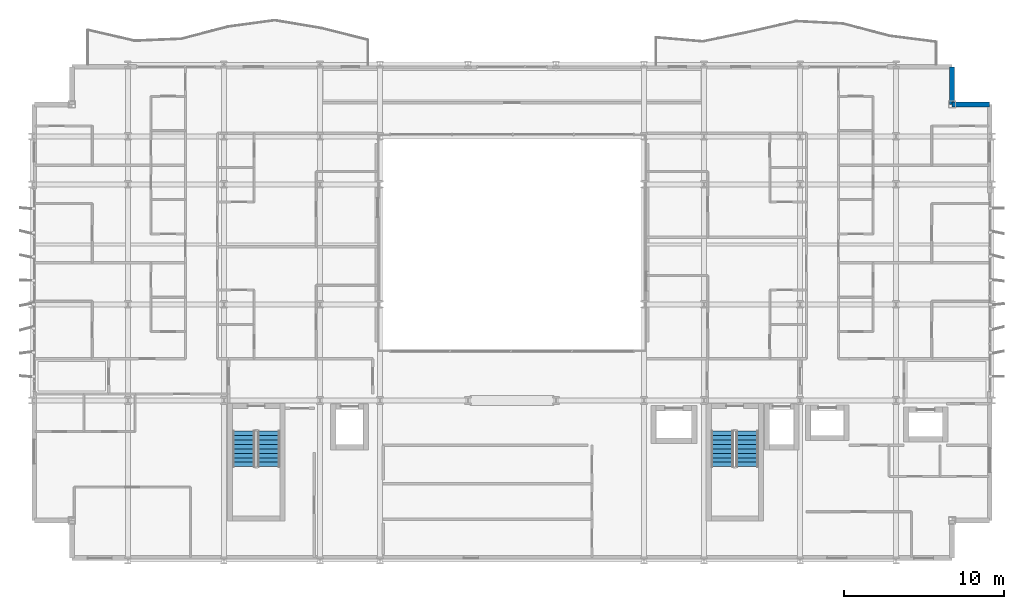
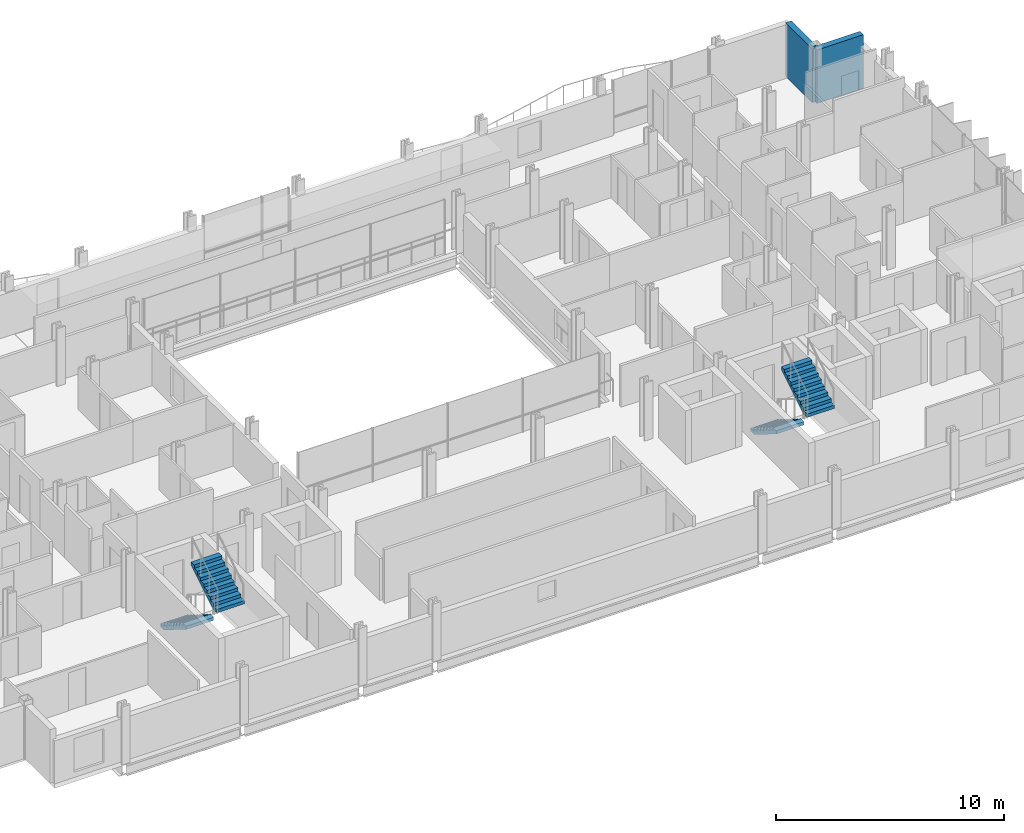
# One storey, part 33 of 39: 4 stair flights, 2 walls, 2 elements without a shape of their own.
"""IFC4 building model written with IfcOpenShell, lengths in metres."""

import ifcopenshell
import ifcopenshell.guid

model = None  # the IFC model being written
_history = None  # IfcOwnerHistory: only IFC2X3 demands one
_inside = {}  # id of a spatial element -> (the spatial element, [elements in it])
_under = {}  # id of a project, library or spatial element -> (it, [spatial elements below it])
_declared = {}  # id of a project -> (the project, [libraries it declares])
_typed = {}  # id of a type object -> (the type object, [elements of that type])
_made_of = {}  # id of a material, layer set ... -> (it, [elements and type objects made of it])


def new_model(schema):
    """Start an empty IFC model of exactly this schema.

    Asked for "IFC4X3", IfcOpenShell would pick the latest addendum, in which some entities
    have other attributes; the version numbers below select the first issue.
    IFC2X3 requires an IfcOwnerHistory on every rooted entity: one is made here for all.
    """
    global model, _history
    if schema == "IFC4X3":
        model = ifcopenshell.file(schema_version=(4, 3, 0, 0))
    else:
        model = ifcopenshell.file(schema=schema)
    _inside.clear()
    _under.clear()
    _declared.clear()
    _typed.clear()
    _made_of.clear()
    _history = None
    if model.schema == "IFC2X3":
        org = make("IfcOrganization", Name="unknown")
        user = make(
            "IfcPersonAndOrganization",
            ThePerson=make("IfcPerson", FamilyName="unknown"),
            TheOrganization=org,
        )
        app = make(
            "IfcApplication",
            ApplicationDeveloper=org,
            Version="unknown",
            ApplicationFullName="unknown",
            ApplicationIdentifier="unknown",
        )
        _history = make(
            "IfcOwnerHistory",
            OwningUser=user,
            OwningApplication=app,
            ChangeAction="ADDED",
            CreationDate=0,
        )
    return model


def make(cls, **values):
    """One entity of the class cls with the attributes given. An attribute that is None is left unset."""
    return model.create_entity(
        cls, **{name: value for name, value in values.items() if value is not None}
    )


def rooted(cls, **values):
    """An entity with a GlobalId (a new one), such as an element, a storey or a relation."""
    return make(cls, GlobalId=ifcopenshell.guid.new(), OwnerHistory=_history, **values)


def si_unit(unit_type, name, prefix=None):
    """IfcSIUnit, for example si_unit("LENGTHUNIT", "METRE", prefix="MILLI")."""
    return make("IfcSIUnit", UnitType=unit_type, Prefix=prefix, Name=name)


def assignment(units):
    """IfcUnitAssignment: the units of a project."""
    return None if units is None else make("IfcUnitAssignment", Units=units)


def point(xyz):
    """IfcCartesianPoint."""
    return None if xyz is None else make("IfcCartesianPoint", Coordinates=xyz)


def direction(xyz):
    """IfcDirection."""
    return None if xyz is None else make("IfcDirection", DirectionRatios=xyz)


def frame(location, z_axis=None, x_axis=None):
    """IfcAxis2Placement3D, a coordinate frame: its origin and axes. An axis left out is left unset."""
    return make(
        "IfcAxis2Placement3D",
        Location=point(location),
        Axis=direction(z_axis),
        RefDirection=direction(x_axis),
    )


def frame_2d(location, x_axis=None):
    """IfcAxis2Placement2D, a coordinate frame in the plane: its origin and x axis."""
    return make(
        "IfcAxis2Placement2D", Location=point(location), RefDirection=direction(x_axis)
    )


def origin():
    """The frame at (0, 0, 0) with its axes left unset."""
    return frame((0.0, 0.0, 0.0))


def place(relative_to, where):
    """IfcLocalPlacement: puts the frame where relative to a parent placement (None: the world)."""
    return make(
        "IfcLocalPlacement", PlacementRelTo=relative_to, RelativePlacement=where
    )


def context(
    kind, dimensions, precision=None, world=None, true_north=None, identifier=None
):
    """IfcGeometricRepresentationContext, for example the 3D "Model" context."""
    return make(
        "IfcGeometricRepresentationContext",
        ContextIdentifier=identifier,
        ContextType=kind,
        CoordinateSpaceDimension=dimensions,
        Precision=precision,
        WorldCoordinateSystem=world,
        TrueNorth=true_north,
    )


def subcontext(parent, identifier, kind, view, scale=None):
    """IfcGeometricRepresentationSubContext, for example "Body" below "Model"."""
    return make(
        "IfcGeometricRepresentationSubContext",
        ContextIdentifier=identifier,
        ContextType=kind,
        ParentContext=parent,
        TargetScale=scale,
        TargetView=view,
    )


def project(units=None, contexts=None):
    """IfcProject with its units and contexts."""
    return rooted(
        "IfcProject",
        Name="project",
        RepresentationContexts=contexts,
        UnitsInContext=assignment(units),
    )


def spatial(cls, under=None, at=None, **own):
    """A site, building, storey or space (cls), placed at a placement, below another one or the project."""
    s = rooted(cls, ObjectPlacement=at, **own)
    if under is not None:
        _under.setdefault(under.id(), (under, []))[1].append(s)
    return s


def polyline(points):
    """IfcPolyline through the points."""
    return make("IfcPolyline", Points=[point(p) for p in points])


def profile(cls, at=None, kind="AREA", **sizes):
    """A parametric profile (cls). Its sizes go by their IFC names, for example OverallWidth=200.0."""
    return make(cls, ProfileType=kind, Position=at, **sizes)


def rectangle(**sizes):
    """IfcRectangleProfileDef."""
    return profile("IfcRectangleProfileDef", **sizes)


def outline(outer, holes=None, kind="AREA"):
    """IfcArbitraryClosedProfileDef: a profile drawn as a closed curve; with holes, ...WithVoids."""
    if holes is None:
        return make("IfcArbitraryClosedProfileDef", ProfileType=kind, OuterCurve=outer)
    return make(
        "IfcArbitraryProfileDefWithVoids",
        ProfileType=kind,
        OuterCurve=outer,
        InnerCurves=holes,
    )


def extrude(swept, where, along, depth):
    """IfcExtrudedAreaSolid: the profile swept, set in the frame where, extruded along a direction by depth."""
    return make(
        "IfcExtrudedAreaSolid",
        SweptArea=swept,
        Position=where,
        ExtrudedDirection=direction(along),
        Depth=depth,
    )


def shape(context_of_items, identifier, shape_type, items):
    """IfcShapeRepresentation: the items that make up one representation, for example the "Body"."""
    return make(
        "IfcShapeRepresentation",
        ContextOfItems=context_of_items,
        RepresentationIdentifier=identifier,
        RepresentationType=shape_type,
        Items=items,
    )


def material(Name=None, Category=None):
    """IfcMaterial."""
    return make("IfcMaterial", Name=Name, Category=Category)


def layer(
    of_material, thickness, ventilated=None, Name=None, Category=None, Priority=None
):
    """IfcMaterialLayer: one layer of a wall or slab, of a material (None: an air gap)."""
    return make(
        "IfcMaterialLayer",
        Material=of_material,
        LayerThickness=thickness,
        IsVentilated=ventilated,
        Name=Name,
        Category=Category,
        Priority=Priority,
    )


def layer_set(layers, Name=None):
    """IfcMaterialLayerSet."""
    return make("IfcMaterialLayerSet", MaterialLayers=layers, LayerSetName=Name)


def made_of(thing, what):
    """Note that an element or type object is made of a material, layer set ...; save() writes the relation."""
    if what is not None:
        _made_of.setdefault(what.id(), (what, []))[1].append(thing)
    return thing


def type_object(cls, material=None, **own):
    """A type object (cls), such as IfcWallType, which elements share."""
    return made_of(rooted(cls, **own), material)


def element(
    cls,
    number,
    at=None,
    inside=None,
    cuts=None,
    type_object=None,
    material=None,
    context=None,
    identifier="Body",
    shape_type=None,
    held_by="IfcProductDefinitionShape",
    body=None,
    shapes=None,
    **own,
):
    """One element of the class cls, such as IfcWall. Its Tag is "e" and its number.

    at: its placement. inside: the storey or other place that contains it. cuts: it is an
    opening in that element (IfcRelVoidsElement). A single representation is given by context,
    identifier, shape_type and body (its items); several are given by shapes. held_by: the class
    of the entity that holds the representations. save() writes the other relations.
    """
    e = rooted(cls, Tag="e%d" % number, ObjectPlacement=at, **own)
    if body is not None:
        shapes = [shape(context, identifier, shape_type, body)]
    if shapes is not None:
        e.Representation = make(held_by, Representations=shapes)
    if inside is not None:
        _inside.setdefault(inside.id(), (inside, []))[1].append(e)
    if cuts is not None:
        rooted(
            "IfcRelVoidsElement", RelatingBuildingElement=cuts, RelatedOpeningElement=e
        )
    if type_object is not None:
        _typed.setdefault(type_object.id(), (type_object, []))[1].append(e)
    return made_of(e, material)


def aggregate(whole, parts):
    """IfcRelAggregates: a whole, such as a stair, and the parts it consists of."""
    return rooted("IfcRelAggregates", RelatingObject=whole, RelatedObjects=parts)


def save(model, path):
    """Write the relations noted so far, then the file.

    IfcRelAggregates (storeys below a building ...), IfcRelContainedInSpatialStructure (elements
    in a storey), IfcRelDefinesByType, IfcRelAssociatesMaterial and IfcRelDeclares: one each for
    every whole, place, type object, material and project.
    """
    for whole, parts in _under.values():
        aggregate(whole, parts)
    for where, things in _inside.values():
        rooted(
            "IfcRelContainedInSpatialStructure",
            RelatedElements=things,
            RelatingStructure=where,
        )
    for kind, things in _typed.values():
        rooted("IfcRelDefinesByType", RelatedObjects=things, RelatingType=kind)
    for what, things in _made_of.values():
        rooted("IfcRelAssociatesMaterial", RelatedObjects=things, RelatingMaterial=what)
    for by, libraries in _declared.values():
        rooted("IfcRelDeclares", RelatingContext=by, RelatedDefinitions=libraries)
    model.write(path)


model = new_model("IFC4")

# Units and contexts
model_context = context("Model", 3, precision=1e-05, world=origin(), true_north=direction((0.0, 1.0)))
body_context = subcontext(model_context, "Body", "Model", "MODEL_VIEW")
ifc_project = project(units=[si_unit("LENGTHUNIT", "METRE"), si_unit("AREAUNIT", "SQUARE_METRE"), si_unit("VOLUMEUNIT", "CUBIC_METRE"), si_unit("PLANEANGLEUNIT", "RADIAN"), si_unit("MASSUNIT", "GRAM", prefix="KILO")], contexts=[model_context])

# Site, building, storey
site_placement = place(None, origin())
site = spatial("IfcSite", under=ifc_project, at=site_placement, CompositionType="ELEMENT")
building_placement = place(site_placement, origin())
building = spatial("IfcBuilding", under=site, at=building_placement, Name="Brevholm Reach", CompositionType="ELEMENT")
storey_placement = place(building_placement, frame((0.0, 0.0, 34.199951171875)))
storey = spatial("IfcBuildingStorey", under=building, at=storey_placement, Name="L08", CompositionType="ELEMENT", Elevation=34.199951171875)

# Walls
ifc_material_1 = material(Name="Concrete C40/50", Category="concrete")
ifc_layer_1 = layer(ifc_material_1, 0.300048828125)
ifc_layer_set_1 = layer_set([ifc_layer_1], Name="Concrete C40/50")
wall_type = type_object("IfcWallType", Name="WAL-EXT-300", PredefinedType="STANDARD", material=ifc_layer_set_1)
for number, where, z_axis, x_axis, name in (
    (1, (59.85009765625, 28.5, 0.0), (0.0, 0.0, 1.0), (-1.0, 0.0, 0.0), "L08 Facade Wall WAL-L08-CNE1"),
    (2, (57.5, 28.5, 0.0), (0.0, 0.0, 1.0), (0.0, 1.0, 0.0), "L08 Facade Wall WAL-L08-CNE2"),
):
    element("IfcWall", number, at=place(storey_placement, frame(where, z_axis=z_axis, x_axis=x_axis)), inside=storey, type_object=wall_type, Name=name, PredefinedType="STANDARD", context=body_context, shape_type="SweptSolid", body=[
        extrude(rectangle(XDim=2.35009765625, YDim=0.300048828125, at=frame_2d((1.175048828125, 0.0))), origin(), (0.0, 0.0, 1.0), 2.8701171875),
    ])

# Stair, stair flights
ifc_material_2 = material(Name="Precast Concrete C40/50", Category="concrete")
stair_type = type_object("IfcStairType", Name="STR-ESC-1400", PredefinedType="DOUBLE_RETURN_STAIR", material=ifc_material_2)
stair_1_placement = place(storey_placement, origin())
stair_1 = element("IfcStair", 3, at=stair_1_placement, inside=storey, type_object=stair_type, Name="L08 ST-1", PredefinedType="DOUBLE_RETURN_STAIR")
ifc_material_3 = material(Name="Precast Concrete C40/50", Category="concrete")
ifc_layer_2 = layer(ifc_material_3, 0.18505859375)
ifc_layer_set_2 = layer_set([ifc_layer_2], Name="Precast Concrete C40/50")
stair_flight_type = type_object("IfcStairFlightType", Name="STF-PRC-185", PredefinedType="STRAIGHT", material=ifc_layer_set_2)
stair_flight_1_placement = place(storey_placement, frame((13.25, 8.10009765625, 0.0), z_axis=(0.0, 0.0, 1.0), x_axis=(0.0, -1.0, 0.0)))
stair_flight_1 = element("IfcStairFlight", 4, at=stair_flight_1_placement, type_object=stair_flight_type, Name="ST-1 flight 1", NumberOfRisers=9, NumberOfTreads=8, PredefinedType="STRAIGHT", RiserHeight=0.172222222, TreadLength=0.28, context=body_context, shape_type="SweptSolid", body=[
    extrude(outline(polyline([(0.0, 0.0), (0.0, 0.172119140625), (0.280029296875, 0.172119140625), (0.280029296875, 0.344482421875), (0.56005859375, 0.344482421875), (0.56005859375, 0.5166015625), (0.840087890625, 0.5166015625), (0.840087890625, 0.68896484375), (1.1201171875, 0.68896484375), (1.1201171875, 0.861083984375), (1.39990234375, 0.861083984375), (1.39990234375, 1.033447265625), (1.679931640625, 1.033447265625), (1.679931640625, 1.20556640625), (1.9599609375, 1.20556640625), (1.9599609375, 1.377685546875), (2.239990234375, 1.377685546875), (2.239990234375, 1.550048828125), (2.239990234375, 1.201904296875), (0.2861328125, 0.0), (0.0, 0.0)])), frame((0.0, 0.699951171875, 0.0), z_axis=(0.0, -1.0, 0.0), x_axis=(1.0, 0.0, 0.0)), (0.0, 0.0, 1.0), 1.39990234375),
])
stair_flight_2_placement = place(storey_placement, frame((14.800048828125, 5.860107421875, 1.550048828125), z_axis=(0.0, 0.0, 1.0), x_axis=(0.0, 1.0, 0.0)))
stair_flight_2 = element("IfcStairFlight", 5, at=stair_flight_2_placement, type_object=stair_flight_type, Name="ST-1 flight 2", NumberOfRisers=9, NumberOfTreads=8, PredefinedType="STRAIGHT", RiserHeight=0.172222222, TreadLength=0.28, context=body_context, shape_type="SweptSolid", body=[
    extrude(outline(polyline([(0.0, 0.0), (0.0, 0.172119140625), (0.280029296875, 0.172119140625), (0.280029296875, 0.344482421875), (0.56005859375, 0.344482421875), (0.56005859375, 0.5166015625), (0.840087890625, 0.5166015625), (0.840087890625, 0.68896484375), (1.1201171875, 0.68896484375), (1.1201171875, 0.861083984375), (1.39990234375, 0.861083984375), (1.39990234375, 1.033447265625), (1.679931640625, 1.033447265625), (1.679931640625, 1.20556640625), (1.9599609375, 1.20556640625), (1.9599609375, 1.377685546875), (2.239990234375, 1.377685546875), (2.239990234375, 1.550048828125), (2.239990234375, 1.201904296875), (0.2861328125, 0.0), (0.0, 0.0)])), frame((0.0, 0.699951171875, 0.0), z_axis=(0.0, -1.0, 0.0), x_axis=(1.0, 0.0, 0.0)), (0.0, 0.0, 1.0), 1.39990234375),
])
aggregate(stair_1, [stair_flight_1, stair_flight_2])

stair_2_placement = place(storey_placement, origin())
stair_2 = element("IfcStair", 6, at=stair_2_placement, inside=storey, type_object=stair_type, Name="L08 ST-2", PredefinedType="DOUBLE_RETURN_STAIR")
stair_flight_3_placement = place(storey_placement, frame((43.14990234375, 8.10009765625, 0.0), z_axis=(0.0, 0.0, 1.0), x_axis=(0.0, -1.0, 0.0)))
stair_flight_3 = element("IfcStairFlight", 7, at=stair_flight_3_placement, type_object=stair_flight_type, Name="ST-2 flight 1", NumberOfRisers=9, NumberOfTreads=8, PredefinedType="STRAIGHT", RiserHeight=0.172222222, TreadLength=0.28, context=body_context, shape_type="SweptSolid", body=[
    extrude(outline(polyline([(0.0, 0.0), (0.0, 0.172119140625), (0.280029296875, 0.172119140625), (0.280029296875, 0.344482421875), (0.56005859375, 0.344482421875), (0.56005859375, 0.5166015625), (0.840087890625, 0.5166015625), (0.840087890625, 0.68896484375), (1.1201171875, 0.68896484375), (1.1201171875, 0.861083984375), (1.39990234375, 0.861083984375), (1.39990234375, 1.033447265625), (1.679931640625, 1.033447265625), (1.679931640625, 1.20556640625), (1.9599609375, 1.20556640625), (1.9599609375, 1.377685546875), (2.239990234375, 1.377685546875), (2.239990234375, 1.550048828125), (2.239990234375, 1.201904296875), (0.2861328125, 0.0), (0.0, 0.0)])), frame((0.0, 0.699951171875, 0.0), z_axis=(0.0, -1.0, 0.0), x_axis=(1.0, 0.0, 0.0)), (0.0, 0.0, 1.0), 1.39990234375),
])
stair_flight_4_placement = place(storey_placement, frame((44.699951171875, 5.860107421875, 1.550048828125), z_axis=(0.0, 0.0, 1.0), x_axis=(0.0, 1.0, 0.0)))
stair_flight_4 = element("IfcStairFlight", 8, at=stair_flight_4_placement, type_object=stair_flight_type, Name="ST-2 flight 2", NumberOfRisers=9, NumberOfTreads=8, PredefinedType="STRAIGHT", RiserHeight=0.172222222, TreadLength=0.28, context=body_context, shape_type="SweptSolid", body=[
    extrude(outline(polyline([(0.0, 0.0), (0.0, 0.172119140625), (0.280029296875, 0.172119140625), (0.280029296875, 0.344482421875), (0.56005859375, 0.344482421875), (0.56005859375, 0.5166015625), (0.840087890625, 0.5166015625), (0.840087890625, 0.68896484375), (1.1201171875, 0.68896484375), (1.1201171875, 0.861083984375), (1.39990234375, 0.861083984375), (1.39990234375, 1.033447265625), (1.679931640625, 1.033447265625), (1.679931640625, 1.20556640625), (1.9599609375, 1.20556640625), (1.9599609375, 1.377685546875), (2.239990234375, 1.377685546875), (2.239990234375, 1.550048828125), (2.239990234375, 1.201904296875), (0.2861328125, 0.0), (0.0, 0.0)])), frame((0.0, 0.699951171875, 0.0), z_axis=(0.0, -1.0, 0.0), x_axis=(1.0, 0.0, 0.0)), (0.0, 0.0, 1.0), 1.39990234375),
])
aggregate(stair_2, [stair_flight_3, stair_flight_4])

save(model, "model.ifc")
